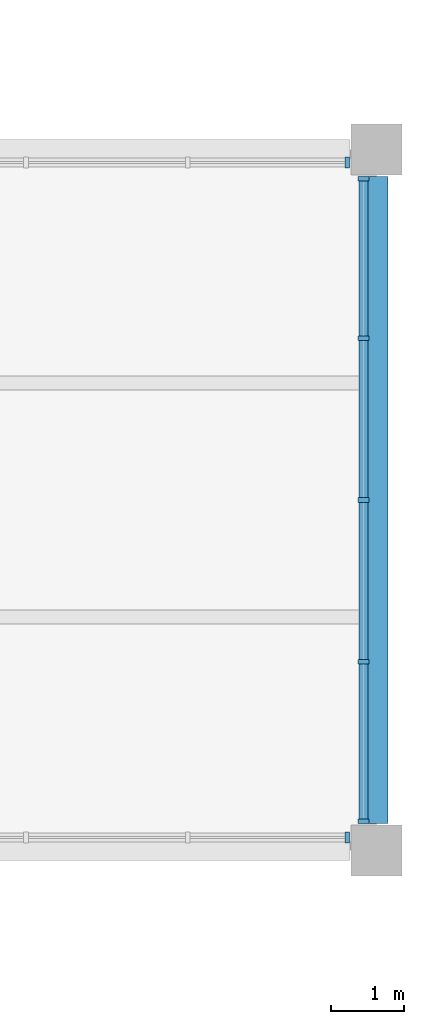
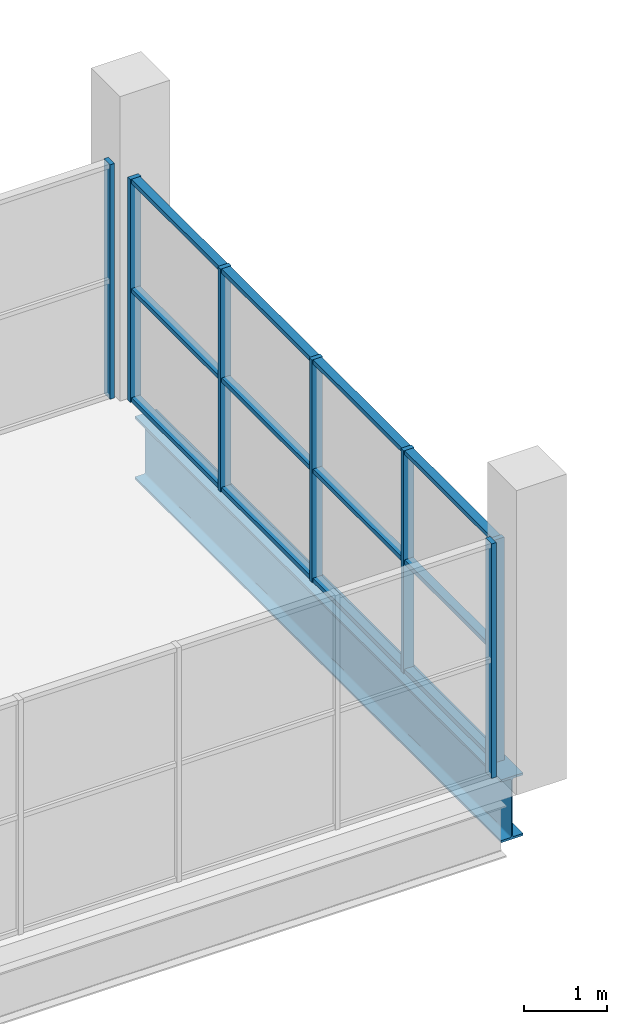
# One storey, part 38 of 92: 19 members, 1 beam, 3 elements without a shape of their own.
"""IFC4 building model written with IfcOpenShell, lengths in metres."""

from ifc_helpers import new_model, si_unit, direction, frame, origin, origin_2d, place, context, subcontext, project, spatial, rectangle, i_section, extrude, material, layer, layer_set, material_profile, profile_set, type_object, element, aggregate, save


model = new_model("IFC4")

# Units and contexts
model_context = context("Model", 3, precision=1e-05, world=origin(), true_north=direction((0.0, 1.0)))
body_context = subcontext(model_context, "Body", "Model", "MODEL_VIEW")
ifc_project = project(units=[si_unit("LENGTHUNIT", "METRE"), si_unit("AREAUNIT", "SQUARE_METRE"), si_unit("VOLUMEUNIT", "CUBIC_METRE"), si_unit("PLANEANGLEUNIT", "RADIAN"), si_unit("MASSUNIT", "GRAM", prefix="KILO")], contexts=[model_context])

# Site, building, storey
site_placement = place(None, origin())
site = spatial("IfcSite", under=ifc_project, at=site_placement, CompositionType="ELEMENT")
building_placement = place(site_placement, origin())
building = spatial("IfcBuilding", under=site, at=building_placement, Name="Caelomonte Colonnade Arena", CompositionType="ELEMENT")
storey_placement = place(building_placement, frame((0.0, 0.0, 9.60009765625)))
storey = spatial("IfcBuildingStorey", under=building, at=storey_placement, Name="L02", CompositionType="ELEMENT", Elevation=9.60009765625)

# Curtain wall, member
ifc_material_1 = material(Name="Bronze anodised aluminium and low-E glazing", Category="aluminium")
ifc_layer_1 = layer(ifc_material_1, 0.179931640625)
ifc_layer_set_1 = layer_set([ifc_layer_1], Name="Bronze anodised aluminium and low-E glazing")
curtain_wall_type_1 = type_object("IfcCurtainWallType", Name="ENV-CW-CW-L02-96-35", PredefinedType="USERDEFINED", material=ifc_layer_set_1)
curtain_wall_1_placement = place(storey_placement, origin())
curtain_wall_1 = element("IfcCurtainWall", 1, at=curtain_wall_1_placement, inside=storey, type_object=curtain_wall_type_1, Name="L02 unitized curtain wall CW-L02-1872-0674", ObjectType="UNITIZED CURTAIN WALL", PredefinedType="USERDEFINED")
ifc_material_2 = material(Name="Bronze anodised aluminium AA6063-T6", Category="aluminium")
ifc_material_profile_1 = material_profile(ifc_material_2, rectangle(XDim=0.06494140625, YDim=0.14990234375, at=origin_2d()), Name="CWM-65X150")
ifc_profile_set_1 = profile_set([ifc_material_profile_1], Name="Bronze anodised aluminium AA6063-T6")
member_type_1 = type_object("IfcMemberType", Name="ENV-CW-MULL2", PredefinedType="MULLION", material=ifc_profile_set_1)
member_1_placement = place(storey_placement, frame((191.597412109375, 67.3798828125, 0.0), z_axis=(0.0, 0.0, 1.0), x_axis=(1.0, 0.0, 0.0)))
member_1 = element("IfcMember", 2, at=member_1_placement, type_object=member_type_1, Name="CW-L02-96-35 mullion 5", PredefinedType="MULLION", context=body_context, shape_type="SweptSolid", body=[
    extrude(rectangle(XDim=0.06494140625, YDim=0.14990234375, at=origin_2d()), origin(), (0.0, 0.0, 1.0), 3.465576171875),
])
aggregate(curtain_wall_1, [member_1])

# Curtain wall, members
ifc_layer_2 = layer(ifc_material_1, 0.179931640625)
ifc_layer_set_2 = layer_set([ifc_layer_2], Name="Bronze anodised aluminium and low-E glazing")
curtain_wall_type_2 = type_object("IfcCurtainWallType", Name="ENV-CW-CW-L02-96-33", PredefinedType="USERDEFINED", material=ifc_layer_set_2)
curtain_wall_2_placement = place(storey_placement, origin())
curtain_wall_2 = element("IfcCurtainWall", 3, at=curtain_wall_2_placement, inside=storey, type_object=curtain_wall_type_2, Name="L02 unitized curtain wall CW-L02-1918-0720", ObjectType="UNITIZED CURTAIN WALL", PredefinedType="USERDEFINED")
member_2_placement = place(storey_placement, frame((191.820068359375, 67.6025390625, 0.0), z_axis=(0.0, 0.0, 1.0), x_axis=(0.0, 1.0, 0.0)))
member_2 = element("IfcMember", 4, at=member_2_placement, type_object=member_type_1, Name="CW-L02-96-33 mullion 1", PredefinedType="MULLION", context=body_context, shape_type="SweptSolid", body=[
    extrude(rectangle(XDim=0.06494140625, YDim=0.14990234375, at=origin_2d()), origin(), (0.0, 0.0, 1.0), 3.29296875),
])
member_3_placement = place(storey_placement, frame((191.820068359375, 69.784912109375, 0.0), z_axis=(0.0, 0.0, 1.0), x_axis=(0.0, 1.0, 0.0)))
member_3 = element("IfcMember", 5, at=member_3_placement, type_object=member_type_1, Name="CW-L02-96-33 mullion 2", PredefinedType="MULLION", context=body_context, shape_type="SweptSolid", body=[
    extrude(rectangle(XDim=0.06494140625, YDim=0.14990234375, at=origin_2d()), origin(), (0.0, 0.0, 1.0), 3.29296875),
])
member_4_placement = place(storey_placement, frame((191.820068359375, 72.0, 0.0), z_axis=(0.0, 0.0, 1.0), x_axis=(0.0, 1.0, 0.0)))
member_4 = element("IfcMember", 6, at=member_4_placement, type_object=member_type_1, Name="CW-L02-96-33 mullion 3", PredefinedType="MULLION", context=body_context, shape_type="SweptSolid", body=[
    extrude(rectangle(XDim=0.06494140625, YDim=0.14990234375, at=origin_2d()), origin(), (0.0, 0.0, 1.0), 3.29296875),
])
member_5_placement = place(storey_placement, frame((191.820068359375, 74.215087890625, 0.0), z_axis=(0.0, 0.0, 1.0), x_axis=(0.0, 1.0, 0.0)))
member_5 = element("IfcMember", 7, at=member_5_placement, type_object=member_type_1, Name="CW-L02-96-33 mullion 4", PredefinedType="MULLION", context=body_context, shape_type="SweptSolid", body=[
    extrude(rectangle(XDim=0.06494140625, YDim=0.14990234375, at=origin_2d()), origin(), (0.0, 0.0, 1.0), 3.29296875),
])
member_6_placement = place(storey_placement, frame((191.820068359375, 76.3974609375, 0.0), z_axis=(0.0, 0.0, 1.0), x_axis=(0.0, 1.0, 0.0)))
member_6 = element("IfcMember", 8, at=member_6_placement, type_object=member_type_1, Name="CW-L02-96-33 mullion 5", PredefinedType="MULLION", context=body_context, shape_type="SweptSolid", body=[
    extrude(rectangle(XDim=0.06494140625, YDim=0.14990234375, at=origin_2d()), origin(), (0.0, 0.0, 1.0), 3.29296875),
])

# Curtain wall, member
curtain_wall_3_placement = place(storey_placement, origin())
curtain_wall_3 = element("IfcCurtainWall", 9, at=curtain_wall_3_placement, inside=storey, type_object=curtain_wall_type_1, Name="L02 unitized curtain wall CW-L02-1872-0766", ObjectType="UNITIZED CURTAIN WALL", PredefinedType="USERDEFINED")
member_7_placement = place(storey_placement, frame((191.597412109375, 76.6201171875, 0.0), z_axis=(0.0, 0.0, 1.0), x_axis=(-1.0, 0.0, 0.0)))
member_7 = element("IfcMember", 10, at=member_7_placement, type_object=member_type_1, Name="CW-L02-96-35 mullion 1", PredefinedType="MULLION", context=body_context, shape_type="SweptSolid", body=[
    extrude(rectangle(XDim=0.06494140625, YDim=0.14990234375, at=origin_2d()), origin(), (0.0, 0.0, 1.0), 3.465576171875),
])
aggregate(curtain_wall_3, [member_7])

# Member
ifc_material_profile_2 = material_profile(ifc_material_2, rectangle(XDim=0.06494140625, YDim=0.1201171875, at=origin_2d()), Name="CWT-65X120")
ifc_profile_set_2 = profile_set([ifc_material_profile_2], Name="Bronze anodised aluminium AA6063-T6")
member_type_2 = type_object("IfcMemberType", Name="ENV-CW-TRAN2", PredefinedType="USERDEFINED", material=ifc_profile_set_2)
member_8_placement = place(storey_placement, frame((191.820068359375, 67.635009765625, 0.032470703125), z_axis=(0.0, 1.0, 0.0), x_axis=(0.0, 0.0, 1.0)))
member_8 = element("IfcMember", 11, at=member_8_placement, type_object=member_type_2, Name="CW-L02-96-33 transom 1.1", ObjectType="TRANSOM", PredefinedType="USERDEFINED", context=body_context, shape_type="SweptSolid", body=[
    extrude(rectangle(XDim=0.06494140625, YDim=0.1201171875, at=origin_2d()), origin(), (0.0, 0.0, 1.0), 2.117431640625),
])

member_9_placement = place(storey_placement, frame((191.820068359375, 67.635009765625, 1.646484375), z_axis=(0.0, 1.0, 0.0), x_axis=(0.0, 0.0, 1.0)))
member_9 = element("IfcMember", 12, at=member_9_placement, type_object=member_type_2, Name="CW-L02-96-33 transom 1.2", ObjectType="TRANSOM", PredefinedType="USERDEFINED", context=body_context, shape_type="SweptSolid", body=[
    extrude(rectangle(XDim=0.06494140625, YDim=0.1201171875, at=origin_2d()), origin(), (0.0, 0.0, 1.0), 2.117431640625),
])

member_10_placement = place(storey_placement, frame((191.820068359375, 67.635009765625, 3.260498046875), z_axis=(0.0, 1.0, 0.0), x_axis=(0.0, 0.0, 1.0)))
member_10 = element("IfcMember", 13, at=member_10_placement, type_object=member_type_2, Name="CW-L02-96-33 transom 1.3", ObjectType="TRANSOM", PredefinedType="USERDEFINED", context=body_context, shape_type="SweptSolid", body=[
    extrude(rectangle(XDim=0.06494140625, YDim=0.1201171875, at=origin_2d()), origin(), (0.0, 0.0, 1.0), 2.117431640625),
])

member_11_placement = place(storey_placement, frame((191.820068359375, 69.8173828125, 0.032470703125), z_axis=(0.0, 1.0, 0.0), x_axis=(0.0, 0.0, 1.0)))
member_11 = element("IfcMember", 14, at=member_11_placement, type_object=member_type_2, Name="CW-L02-96-33 transom 2.1", ObjectType="TRANSOM", PredefinedType="USERDEFINED", context=body_context, shape_type="SweptSolid", body=[
    extrude(rectangle(XDim=0.06494140625, YDim=0.1201171875, at=origin_2d()), origin(), (0.0, 0.0, 1.0), 2.150146484375),
])

member_12_placement = place(storey_placement, frame((191.820068359375, 69.8173828125, 1.646484375), z_axis=(0.0, 1.0, 0.0), x_axis=(0.0, 0.0, 1.0)))
member_12 = element("IfcMember", 15, at=member_12_placement, type_object=member_type_2, Name="CW-L02-96-33 transom 2.2", ObjectType="TRANSOM", PredefinedType="USERDEFINED", context=body_context, shape_type="SweptSolid", body=[
    extrude(rectangle(XDim=0.06494140625, YDim=0.1201171875, at=origin_2d()), origin(), (0.0, 0.0, 1.0), 2.150146484375),
])

member_13_placement = place(storey_placement, frame((191.820068359375, 69.8173828125, 3.260498046875), z_axis=(0.0, 1.0, 0.0), x_axis=(0.0, 0.0, 1.0)))
member_13 = element("IfcMember", 16, at=member_13_placement, type_object=member_type_2, Name="CW-L02-96-33 transom 2.3", ObjectType="TRANSOM", PredefinedType="USERDEFINED", context=body_context, shape_type="SweptSolid", body=[
    extrude(rectangle(XDim=0.06494140625, YDim=0.1201171875, at=origin_2d()), origin(), (0.0, 0.0, 1.0), 2.150146484375),
])

member_14_placement = place(storey_placement, frame((191.820068359375, 72.032470703125, 0.032470703125), z_axis=(0.0, 1.0, 0.0), x_axis=(0.0, 0.0, 1.0)))
member_14 = element("IfcMember", 17, at=member_14_placement, type_object=member_type_2, Name="CW-L02-96-33 transom 3.1", ObjectType="TRANSOM", PredefinedType="USERDEFINED", context=body_context, shape_type="SweptSolid", body=[
    extrude(rectangle(XDim=0.06494140625, YDim=0.1201171875, at=origin_2d()), origin(), (0.0, 0.0, 1.0), 2.150146484375),
])

member_15_placement = place(storey_placement, frame((191.820068359375, 72.032470703125, 1.646484375), z_axis=(0.0, 1.0, 0.0), x_axis=(0.0, 0.0, 1.0)))
member_15 = element("IfcMember", 18, at=member_15_placement, type_object=member_type_2, Name="CW-L02-96-33 transom 3.2", ObjectType="TRANSOM", PredefinedType="USERDEFINED", context=body_context, shape_type="SweptSolid", body=[
    extrude(rectangle(XDim=0.06494140625, YDim=0.1201171875, at=origin_2d()), origin(), (0.0, 0.0, 1.0), 2.150146484375),
])

member_16_placement = place(storey_placement, frame((191.820068359375, 72.032470703125, 3.260498046875), z_axis=(0.0, 1.0, 0.0), x_axis=(0.0, 0.0, 1.0)))
member_16 = element("IfcMember", 19, at=member_16_placement, type_object=member_type_2, Name="CW-L02-96-33 transom 3.3", ObjectType="TRANSOM", PredefinedType="USERDEFINED", context=body_context, shape_type="SweptSolid", body=[
    extrude(rectangle(XDim=0.06494140625, YDim=0.1201171875, at=origin_2d()), origin(), (0.0, 0.0, 1.0), 2.150146484375),
])

member_17_placement = place(storey_placement, frame((191.820068359375, 74.24755859375, 0.032470703125), z_axis=(0.0, 1.0, 0.0), x_axis=(0.0, 0.0, 1.0)))
member_17 = element("IfcMember", 20, at=member_17_placement, type_object=member_type_2, Name="CW-L02-96-33 transom 4.1", ObjectType="TRANSOM", PredefinedType="USERDEFINED", context=body_context, shape_type="SweptSolid", body=[
    extrude(rectangle(XDim=0.06494140625, YDim=0.1201171875, at=origin_2d()), origin(), (0.0, 0.0, 1.0), 2.117431640625),
])

member_18_placement = place(storey_placement, frame((191.820068359375, 74.24755859375, 1.646484375), z_axis=(0.0, 1.0, 0.0), x_axis=(0.0, 0.0, 1.0)))
member_18 = element("IfcMember", 21, at=member_18_placement, type_object=member_type_2, Name="CW-L02-96-33 transom 4.2", ObjectType="TRANSOM", PredefinedType="USERDEFINED", context=body_context, shape_type="SweptSolid", body=[
    extrude(rectangle(XDim=0.06494140625, YDim=0.1201171875, at=origin_2d()), origin(), (0.0, 0.0, 1.0), 2.117431640625),
])

member_19_placement = place(storey_placement, frame((191.820068359375, 74.24755859375, 3.260498046875), z_axis=(0.0, 1.0, 0.0), x_axis=(0.0, 0.0, 1.0)))
member_19 = element("IfcMember", 22, at=member_19_placement, type_object=member_type_2, Name="CW-L02-96-33 transom 4.3", ObjectType="TRANSOM", PredefinedType="USERDEFINED", context=body_context, shape_type="SweptSolid", body=[
    extrude(rectangle(XDim=0.06494140625, YDim=0.1201171875, at=origin_2d()), origin(), (0.0, 0.0, 1.0), 2.117431640625),
])

aggregate(curtain_wall_2, [member_2, member_3, member_4, member_5, member_6, member_8, member_9, member_10, member_11, member_12, member_13, member_14, member_15, member_16, member_17, member_18, member_19])

# Beam
ifc_material_3 = material(Name="Wide-flange steel ASTM A992 Grade 50", Category="steel")
ifc_material_profile_3 = material_profile(ifc_material_3, i_section(OverallWidth=0.307861328125, OverallDepth=0.927001953125, WebThickness=0.019287109375, FlangeThickness=0.031982421875, FilletRadius=0.020263671875, at=origin_2d()), Name="W36X194")
ifc_profile_set_3 = profile_set([ifc_material_profile_3], Name="Wide-flange steel ASTM A992 Grade 50")
beam_type = type_object("IfcBeamType", Name="STR-BM-EAVES2", PredefinedType="SPANDREL", material=ifc_profile_set_3)
beam_placement = place(storey_placement, frame((192.0, 67.56689453125, -0.74365234375), z_axis=(0.0, 1.0, 0.0), x_axis=(-1.0, 0.0, 0.0)))
element("IfcBeam", 23, at=beam_placement, inside=storey, type_object=beam_type, Name="L02 girder BMY-L02-1920-0672", PredefinedType="SPANDREL", context=body_context, shape_type="SweptSolid", body=[
    extrude(i_section(OverallWidth=0.307861328125, OverallDepth=0.927001953125, WebThickness=0.019287109375, FlangeThickness=0.031982421875, FilletRadius=0.020263671875, at=origin_2d()), origin(), (0.0, 0.0, 1.0), 8.8662109375),
])

save(model, "model.ifc")
